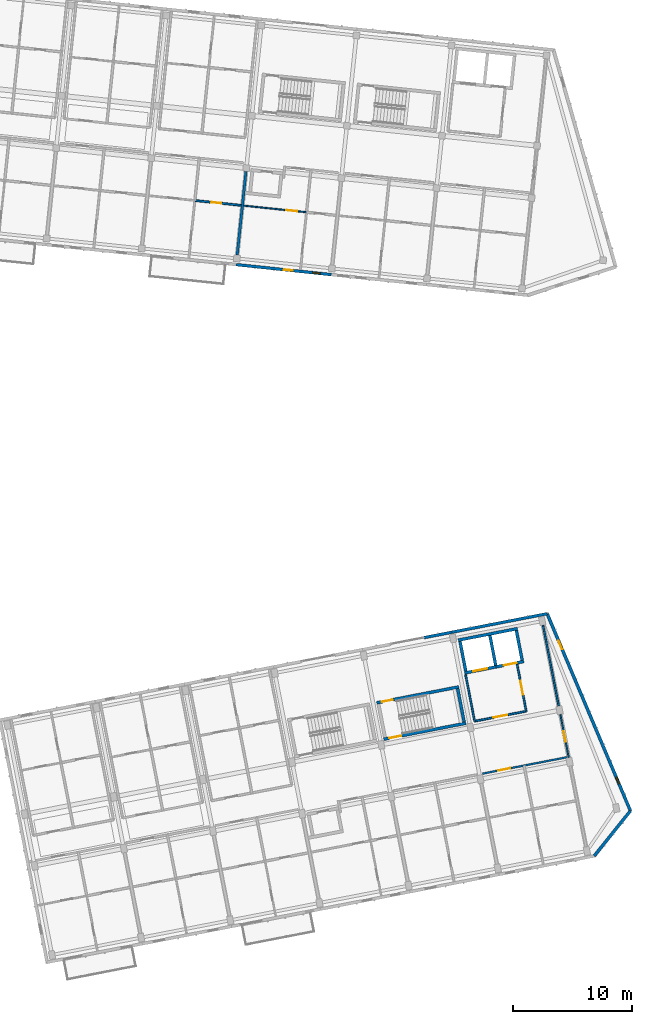
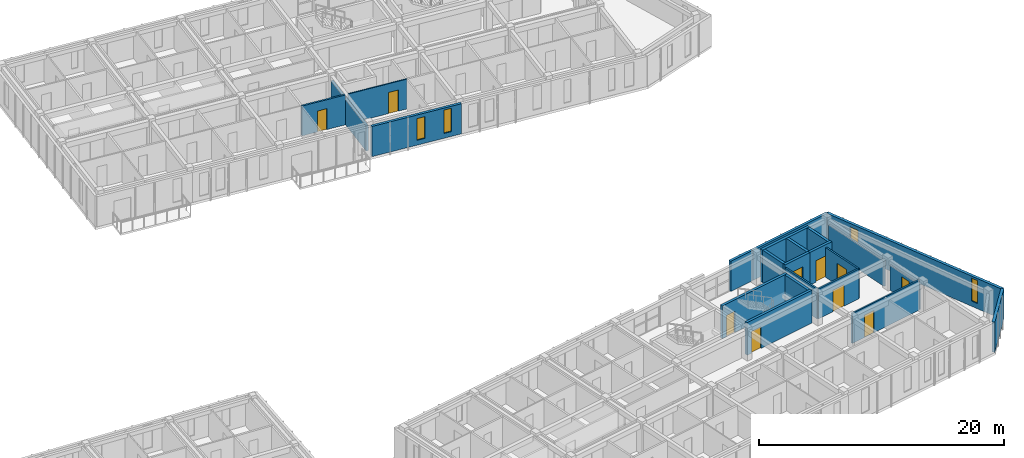
# One storey, part 36 of 66: 23 walls, 10 doors, 4 windows, 14 openings.
"""IFC4 building model written with IfcOpenShell, lengths in metres."""

from ifc_helpers import new_model, si_unit, direction, frame, frame_2d, origin, place, context, subcontext, project, spatial, rectangle, extrude, material, layer, layer_set, type_object, element, fill, save


model = new_model("IFC4")

# Units and contexts
model_context = context("Model", 3, precision=1e-05, world=origin(), true_north=direction((0.0, 1.0)))
body_context = subcontext(model_context, "Body", "Model", "MODEL_VIEW")
ifc_project = project(units=[si_unit("LENGTHUNIT", "METRE"), si_unit("AREAUNIT", "SQUARE_METRE"), si_unit("VOLUMEUNIT", "CUBIC_METRE"), si_unit("PLANEANGLEUNIT", "RADIAN"), si_unit("MASSUNIT", "GRAM", prefix="KILO")], contexts=[model_context])

# Site, building, storey
site_placement = place(None, origin())
site = spatial("IfcSite", under=ifc_project, at=site_placement, CompositionType="ELEMENT")
building_placement = place(site_placement, origin())
building = spatial("IfcBuilding", under=site, at=building_placement, Name="Kestramere Prow Commons", CompositionType="ELEMENT")
storey_placement = place(building_placement, frame((0.0, 0.0, 14.89990234375)))
storey = spatial("IfcBuildingStorey", under=building, at=storey_placement, Name="L04", CompositionType="ELEMENT", Elevation=14.89990234375)

# Wall, openings, windows
ifc_material_1 = material(Name="Weathered Zinc-Titanium Standing-Seam Cladding")
ifc_layer_1 = layer(ifc_material_1, 0.260009765625)
ifc_layer_set_1 = layer_set([ifc_layer_1], Name="Weathered Zinc-Titanium Standing-Seam Cladding")
wall_type_1 = type_object("IfcWallType", Name="EW-PROW-260", PredefinedType="SOLIDWALL", material=ifc_layer_set_1)
wall_1_placement = place(storey_placement, frame((159.83740234375, 62.556396484375, 0.0), z_axis=(0.0, 0.0, 1.0), x_axis=(0.389225507936, -0.921142499276, 0.0)))
wall_1 = element("IfcWall", 1, at=wall_1_placement, inside=storey, type_object=wall_type_1, Name="Block D L04 PRW-N Facet Wall", PredefinedType="SOLIDWALL", context=body_context, shape_type="SweptSolid", body=[
    extrude(rectangle(XDim=17.910400390625, YDim=0.260009765625, at=frame_2d((8.955078125, 0.0))), origin(), (0.0, 0.0, 1.0), 3.0),
])
opening_1_placement = place(wall_1_placement, frame((2.449951171875, 0.0, 0.449951171875)))
opening_1 = element("IfcOpeningElement", 2, at=opening_1_placement, cuts=wall_1, Name="Opening WN-11", PredefinedType="OPENING", context=body_context, shape_type="SweptSolid", body=[
    extrude(rectangle(XDim=0.780029296875, YDim=2.199951171875, at=frame_2d((0.39013671875, 1.10009765625))), frame((0.0, 0.14501953125, 0.0), z_axis=(0.0, -1.0, 0.0), x_axis=(1.0, 0.0, 0.0)), (0.0, 0.0, 1.0), 0.2900390625),
])
opening_2_placement = place(wall_1_placement, frame((14.84033203125, 0.0, 0.52001953125)))
opening_2 = element("IfcOpeningElement", 3, at=opening_2_placement, cuts=wall_1, Name="Opening WN-03", PredefinedType="OPENING", context=body_context, shape_type="SweptSolid", body=[
    extrude(rectangle(XDim=0.6201171875, YDim=2.280029296875, at=frame_2d((0.31005859375, 1.14013671875))), frame((0.0, 0.14501953125, 0.0), z_axis=(0.0, -1.0, 0.0), x_axis=(1.0, 0.0, 0.0)), (0.0, 0.0, 1.0), 0.2900390625),
])
ifc_material_2 = material(Name="Low-E Laminated Double Glazing", Category="glass")
window_type_1 = type_object("IfcWindowType", Name="WN-NAR-620A", PartitioningType="SINGLE_PANEL", PredefinedType="WINDOW", material=ifc_material_2)
window_1_placement = place(opening_2_placement, origin())
window_1 = element("IfcWindow", 4, at=window_1_placement, inside=storey, type_object=window_type_1, Name="WN-D-L04-PRW-N-1", OverallHeight=2.280029296875, OverallWidth=0.6201171875, PartitioningType="SINGLE_PANEL", PredefinedType="WINDOW", context=body_context, shape_type="SweptSolid", body=[
    extrude(rectangle(XDim=0.6201171875, YDim=2.280029296875, at=frame_2d((0.31005859375, 1.14013671875))), frame((0.0, 0.030029296875, 0.0), z_axis=(0.0, -1.0, 0.0), x_axis=(1.0, 0.0, 0.0)), (0.0, 0.0, 1.0), 0.06005859375),
])
fill(opening_2, window_1)
window_type_2 = type_object("IfcWindowType", Name="WN-NAR-780A", PartitioningType="SINGLE_PANEL", PredefinedType="WINDOW", material=ifc_material_2)
window_2_placement = place(opening_1_placement, origin())
window_2 = element("IfcWindow", 5, at=window_2_placement, inside=storey, type_object=window_type_2, Name="WN-D-L04-PRW-N-0", OverallHeight=2.199951171875, OverallWidth=0.780029296875, PartitioningType="SINGLE_PANEL", PredefinedType="WINDOW", context=body_context, shape_type="SweptSolid", body=[
    extrude(rectangle(XDim=0.780029296875, YDim=2.199951171875, at=frame_2d((0.39013671875, 1.10009765625))), frame((0.0, 0.030029296875, 0.0), z_axis=(0.0, -1.0, 0.0), x_axis=(1.0, 0.0, 0.0)), (0.0, 0.0, 1.0), 0.06005859375),
])
fill(opening_1, window_2)

# Wall
wall_2_placement = place(storey_placement, frame((166.80859375, 46.058349609375, 0.0), z_axis=(0.0, 0.0, 1.0), x_axis=(-0.626281072923, -0.779597343312, 0.0)))
element("IfcWall", 6, at=wall_2_placement, inside=storey, type_object=wall_type_1, Name="Block D L04 PRW-S Facet Wall", PredefinedType="SOLIDWALL", context=body_context, shape_type="SweptSolid", body=[
    extrude(rectangle(XDim=4.83935546875, YDim=0.260009765625, at=frame_2d((2.419677734375, 0.0))), origin(), (0.0, 0.0, 1.0), 3.0),
])

# Wall, openings, windows
ifc_material_3 = material(Name="Fluoropolymer Standing-Seam Zinc-Aluminium Cladding", Category="aluminium")
ifc_layer_2 = layer(ifc_material_3, 0.239990234375)
ifc_layer_set_2 = layer_set([ifc_layer_2], Name="Fluoropolymer Standing-Seam Zinc-Aluminium Cladding")
wall_type_2 = type_object("IfcWallType", Name="EW-SEAM-240", PredefinedType="SOLIDWALL", material=ifc_layer_set_2)
wall_3_placement = place(storey_placement, frame((141.769775390625, 90.932861328125, 0.0), z_axis=(0.0, 0.0, 1.0), x_axis=(-0.994519156568, 0.104554517933, 0.0)))
wall_3 = element("IfcWall", 7, at=wall_3_placement, inside=storey, type_object=wall_type_2, Name="Block B L04 South Standing-Seam Wall 4", PredefinedType="SOLIDWALL", context=body_context, shape_type="SweptSolid", body=[
    extrude(rectangle(XDim=8.0, YDim=0.239990234375, at=frame_2d((4.0, 0.0))), origin(), (0.0, 0.0, 1.0), 3.0),
])
opening_3_placement = place(wall_3_placement, frame((0.910888671875, 0.0, 0.47998046875)))
opening_3 = element("IfcOpeningElement", 8, at=opening_3_placement, cuts=wall_3, Name="Opening WN-05", PredefinedType="OPENING", context=body_context, shape_type="SweptSolid", body=[
    extrude(rectangle(XDim=0.659912109375, YDim=2.320068359375, at=frame_2d((0.330078125, 1.16015625))), frame((0.0, 0.135009765625, 0.0), z_axis=(0.0, -1.0, 0.0), x_axis=(1.0, 0.0, 0.0)), (0.0, 0.0, 1.0), 0.27001953125),
])
opening_4_placement = place(wall_3_placement, frame((3.25439453125, 0.0, 0.47998046875)))
opening_4 = element("IfcOpeningElement", 9, at=opening_4_placement, cuts=wall_3, Name="Opening WN-08", PredefinedType="OPENING", context=body_context, shape_type="SweptSolid", body=[
    extrude(rectangle(XDim=0.719970703125, YDim=2.159912109375, at=frame_2d((0.35986328125, 1.080078125))), frame((0.0, 0.135009765625, 0.0), z_axis=(0.0, -1.0, 0.0), x_axis=(1.0, 0.0, 0.0)), (0.0, 0.0, 1.0), 0.27001953125),
])
window_type_3 = type_object("IfcWindowType", Name="WN-NAR-660A", PartitioningType="SINGLE_PANEL", PredefinedType="WINDOW", material=ifc_material_2)
window_3_placement = place(opening_3_placement, origin())
window_3 = element("IfcWindow", 10, at=window_3_placement, inside=storey, type_object=window_type_3, Name="WN-B-L04-S-3-00", OverallHeight=2.320068359375, OverallWidth=0.659912109375, PartitioningType="SINGLE_PANEL", PredefinedType="WINDOW", context=body_context, shape_type="SweptSolid", body=[
    extrude(rectangle(XDim=0.659912109375, YDim=2.320068359375, at=frame_2d((0.330078125, 1.16015625))), frame((0.0, 0.030029296875, 0.0), z_axis=(0.0, -1.0, 0.0), x_axis=(1.0, 0.0, 0.0)), (0.0, 0.0, 1.0), 0.06005859375),
])
fill(opening_3, window_3)
window_type_4 = type_object("IfcWindowType", Name="WN-NAR-720A", PartitioningType="SINGLE_PANEL", PredefinedType="WINDOW", material=ifc_material_2)
window_4_placement = place(opening_4_placement, origin())
window_4 = element("IfcWindow", 11, at=window_4_placement, inside=storey, type_object=window_type_4, Name="WN-B-L04-S-3-10", OverallHeight=2.159912109375, OverallWidth=0.719970703125, PartitioningType="SINGLE_PANEL", PredefinedType="WINDOW", context=body_context, shape_type="SweptSolid", body=[
    extrude(rectangle(XDim=0.719970703125, YDim=2.159912109375, at=frame_2d((0.35986328125, 1.080078125))), frame((0.0, 0.030029296875, 0.0), z_axis=(0.0, -1.0, 0.0), x_axis=(1.0, 0.0, 0.0)), (0.0, 0.0, 1.0), 0.06005859375),
])
fill(opening_4, window_4)

# Walls
wall_4_placement = place(storey_placement, frame((149.530517578125, 60.552734375, 0.0), z_axis=(0.0, 0.0, 1.0), x_axis=(0.98161057432, 0.190894422087, 0.0)))
element("IfcWall", 12, at=wall_4_placement, inside=storey, type_object=wall_type_2, Name="Block D L04 North Standing-Seam Pier 5R", PredefinedType="SOLIDWALL", context=body_context, shape_type="SweptSolid", body=[
    extrude(rectangle(XDim=2.375, YDim=0.239990234375, at=frame_2d((1.1875, 0.0))), origin(), (0.0, 0.0, 1.0), 3.0),
])
wall_5_placement = place(storey_placement, frame((151.86181640625, 61.006103515625, 0.0), z_axis=(0.0, 0.0, 1.0), x_axis=(0.981627273155, 0.190808533872, 0.0)))
element("IfcWall", 13, at=wall_5_placement, inside=storey, type_object=wall_type_2, Name="Block D L04 North Standing-Seam Wall 6", PredefinedType="SOLIDWALL", context=body_context, shape_type="SweptSolid", body=[
    extrude(rectangle(XDim=8.124755859375, YDim=0.239990234375, at=frame_2d((4.0625, 0.0))), origin(), (0.0, 0.0, 1.0), 3.0),
])
ifc_material_4 = material(Name="Concrete C40/50", Category="concrete")
ifc_layer_3 = layer(ifc_material_4, 0.25)
ifc_layer_set_3 = layer_set([ifc_layer_3], Name="Concrete C40/50")
wall_type_3 = type_object("IfcWallType", Name="W-CORE-250", PredefinedType="SHEAR", material=ifc_layer_set_3)
wall_6_placement = place(storey_placement, frame((152.3974609375, 60.34619140625, 0.0), z_axis=(0.0, 0.0, 1.0), x_axis=(0.981635261308, 0.190767433692, 0.0)))
element("IfcWall", 14, at=wall_6_placement, inside=storey, type_object=wall_type_3, Name="Block D L04 Lift Core Back Wall", PredefinedType="SHEAR", context=body_context, shape_type="SweptSolid", body=[
    extrude(rectangle(XDim=5.050048828125, YDim=0.25, at=frame_2d((2.52490234375, 0.0))), origin(), (0.0, 0.0, 1.0), 3.25),
])

# Wall, opening, door
wall_7_placement = place(storey_placement, frame((152.931884765625, 57.59765625, 0.0), z_axis=(0.0, 0.0, 1.0), x_axis=(0.981636759622, 0.190759723627, 0.0)))
wall_7 = element("IfcWall", 15, at=wall_7_placement, inside=storey, type_object=wall_type_3, Name="Block D L04 Fire Lift Shaft Front Wall", PredefinedType="SHEAR", context=body_context, shape_type="SweptSolid", body=[
    extrude(rectangle(XDim=2.6748046875, YDim=0.25, at=frame_2d((1.33740234375, 0.0))), origin(), (0.0, 0.0, 1.0), 3.25),
])
opening_5_placement = place(wall_7_placement, frame((0.719970703125, 0.0, 0.0)))
opening_5 = element("IfcOpeningElement", 16, at=opening_5_placement, cuts=wall_7, Name="Opening LD-02", PredefinedType="OPENING", context=body_context, shape_type="SweptSolid", body=[
    extrude(rectangle(XDim=1.199951171875, YDim=2.199951171875, at=frame_2d((0.60009765625, 1.10009765625))), frame((0.0, 0.139892578125, 0.0), z_axis=(0.0, -1.0, 0.0), x_axis=(1.0, 0.0, 0.0)), (0.0, 0.0, 1.0), 0.280029296875),
])
ifc_material_5 = material(Name="Brushed Stainless Steel 316", Category="steel")
door_type_1 = type_object("IfcDoorType", Name="LD-02", OperationType="DOUBLE_DOOR_SLIDING", PredefinedType="DOOR", material=ifc_material_5)
door_1_placement = place(opening_5_placement, origin())
door_1 = element("IfcDoor", 17, at=door_1_placement, inside=storey, type_object=door_type_1, Name="FL-D1 L04 Lift Landing Door", OperationType="DOUBLE_DOOR_SLIDING", OverallHeight=2.199951171875, OverallWidth=1.199951171875, PredefinedType="DOOR", context=body_context, shape_type="SweptSolid", body=[
    extrude(rectangle(XDim=1.199951171875, YDim=2.199951171875, at=frame_2d((0.60009765625, 1.10009765625))), frame((0.0, 0.02490234375, 0.0), z_axis=(0.0, -1.0, 0.0), x_axis=(1.0, 0.0, 0.0)), (0.0, 0.0, 1.0), 0.050048828125),
])
fill(opening_5, door_1)

wall_8_placement = place(storey_placement, frame((155.5576171875, 58.10791015625, 0.0), z_axis=(0.0, 0.0, 1.0), x_axis=(0.981633573872, 0.190776116556, 0.0)))
wall_8 = element("IfcWall", 18, at=wall_8_placement, inside=storey, type_object=wall_type_3, Name="Block D L04 Passenger Lift Shaft Front Wall", PredefinedType="SHEAR", context=body_context, shape_type="SweptSolid", body=[
    extrude(rectangle(XDim=2.375244140625, YDim=0.25, at=frame_2d((1.1875, 0.0))), origin(), (0.0, 0.0, 1.0), 3.25),
])
opening_6_placement = place(wall_8_placement, frame((0.64990234375, 0.0, 0.0)))
opening_6 = element("IfcOpeningElement", 19, at=opening_6_placement, cuts=wall_8, Name="Opening LD-01", PredefinedType="OPENING", context=body_context, shape_type="SweptSolid", body=[
    extrude(rectangle(XDim=1.10009765625, YDim=2.14990234375, at=frame_2d((0.550048828125, 1.074951171875))), frame((0.0, 0.139892578125, 0.0), z_axis=(0.0, -1.0, 0.0), x_axis=(1.0, 0.0, 0.0)), (0.0, 0.0, 1.0), 0.280029296875),
])
ifc_material_6 = material(Name="Brushed Stainless Steel 304", Category="steel")
door_type_2 = type_object("IfcDoorType", Name="LD-01", OperationType="DOUBLE_DOOR_SLIDING", PredefinedType="DOOR", material=ifc_material_6)
door_2_placement = place(opening_6_placement, origin())
door_2 = element("IfcDoor", 20, at=door_2_placement, inside=storey, type_object=door_type_2, Name="PL-D2 L04 Lift Landing Door", OperationType="DOUBLE_DOOR_SLIDING", OverallHeight=2.14990234375, OverallWidth=1.10009765625, PredefinedType="DOOR", context=body_context, shape_type="SweptSolid", body=[
    extrude(rectangle(XDim=1.10009765625, YDim=2.14990234375, at=frame_2d((0.550048828125, 1.074951171875))), frame((0.0, 0.02490234375, 0.0), z_axis=(0.0, -1.0, 0.0), x_axis=(1.0, 0.0, 0.0)), (0.0, 0.0, 1.0), 0.050048828125),
])
fill(opening_6, door_2)

# Walls
for number, where, z_axis, x_axis, name in (
    (21, (153.03076171875, 57.744140625, 0.0), (0.0, 0.0, 1.0), (-0.190810719655, 0.98162684828, 0.0), "Block D L04 Lift Core Side Wall L"),
    (22, (155.533935546875, 58.230712890625, 0.0), (0.0, 0.0, 1.0), (-0.190810719655, 0.98162684828, 0.0), "Block D L04 Lift Core Side Wall M"),
    (23, (157.742431640625, 58.659912109375, 0.0), (0.0, 0.0, 1.0), (-0.190810719655, 0.98162684828, 0.0), "Block D L04 Lift Core Side Wall R"),
):
    element("IfcWall", number, at=place(storey_placement, frame(where, z_axis=z_axis, x_axis=x_axis)), inside=storey, type_object=wall_type_3, Name=name, PredefinedType="SHEAR", context=body_context, shape_type="SweptSolid", body=[
        extrude(rectangle(XDim=2.550048828125, YDim=0.25, at=frame_2d((1.27490234375, 0.0))), origin(), (0.0, 0.0, 1.0), 3.25),
    ])

# Wall, opening, door
wall_9_placement = place(storey_placement, frame((145.57373046875, 55.09765625, 0.0), z_axis=(0.0, 0.0, 1.0), x_axis=(0.981626097708, 0.19081458094, 0.0)))
wall_9 = element("IfcWall", 24, at=wall_9_placement, inside=storey, type_object=wall_type_3, Name="ST-D2 L04 North Shaft Wall", PredefinedType="SHEAR", context=body_context, shape_type="SweptSolid", body=[
    extrude(rectangle(XDim=7.0, YDim=0.25, at=frame_2d((3.5, 0.0))), origin(), (0.0, 0.0, 1.0), 3.25),
])
opening_7_placement = place(wall_9_placement, frame((0.449951171875, 0.0, 0.0)))
opening_7 = element("IfcOpeningElement", 25, at=opening_7_placement, cuts=wall_9, Name="Opening ID-08", PredefinedType="OPENING", context=body_context, shape_type="SweptSolid", body=[
    extrude(rectangle(XDim=0.89990234375, YDim=2.10009765625, at=frame_2d((0.449951171875, 1.050048828125))), frame((0.0, 0.139892578125, 0.0), z_axis=(0.0, -1.0, 0.0), x_axis=(1.0, 0.0, 0.0)), (0.0, 0.0, 1.0), 0.280029296875),
])
ifc_material_7 = material(Name="Engineered Timber Flush Door", Category="wood")
door_type_3 = type_object("IfcDoorType", Name="D-RM-01", OperationType="NOTDEFINED", PredefinedType="DOOR", material=ifc_material_7)
door_3_placement = place(opening_7_placement, origin())
door_3 = element("IfcDoor", 26, at=door_3_placement, inside=storey, type_object=door_type_3, Name="ST-D2 L04 North Room Door", OperationType="SINGLE_SWING_RIGHT", OverallHeight=2.10009765625, OverallWidth=0.89990234375, PredefinedType="DOOR", context=body_context, shape_type="SweptSolid", body=[
    extrude(rectangle(XDim=0.89990234375, YDim=2.10009765625, at=frame_2d((0.449951171875, 1.050048828125))), frame((0.0, 0.02490234375, 0.0), z_axis=(0.0, -1.0, 0.0), x_axis=(1.0, 0.0, 0.0)), (0.0, 0.0, 1.0), 0.050048828125),
])
fill(opening_7, door_3)

wall_10_placement = place(storey_placement, frame((146.1650390625, 52.054443359375, 0.0), z_axis=(0.0, 0.0, 1.0), x_axis=(0.981627367538, 0.190808048312, 0.0)))
wall_10 = element("IfcWall", 27, at=wall_10_placement, inside=storey, type_object=wall_type_3, Name="ST-D2 L04 Corridor Shaft Wall", PredefinedType="SHEAR", context=body_context, shape_type="SweptSolid", body=[
    extrude(rectangle(XDim=7.000244140625, YDim=0.25, at=frame_2d((3.5, 0.0))), origin(), (0.0, 0.0, 1.0), 3.25),
])
opening_8_placement = place(wall_10_placement, frame((0.449951171875, 0.0, 0.0)))
opening_8 = element("IfcOpeningElement", 28, at=opening_8_placement, cuts=wall_10, Name="Opening ID-01", PredefinedType="OPENING", context=body_context, shape_type="SweptSolid", body=[
    extrude(rectangle(XDim=1.050048828125, YDim=2.14990234375, at=frame_2d((0.52490234375, 1.074951171875))), frame((0.0, 0.139892578125, 0.0), z_axis=(0.0, -1.0, 0.0), x_axis=(1.0, 0.0, 0.0)), (0.0, 0.0, 1.0), 0.280029296875),
])
ifc_material_8 = material(Name="Fire-Rated Timber and Steel Frame", Category="steel")
door_type_4 = type_object("IfcDoorType", Name="FD-ST-01", OperationType="NOTDEFINED", PredefinedType="DOOR", material=ifc_material_8)
door_4_placement = place(opening_8_placement, origin())
door_4 = element("IfcDoor", 29, at=door_4_placement, inside=storey, type_object=door_type_4, Name="ST-D2 L04 Protected Stair Door", OperationType="SINGLE_SWING_LEFT", OverallHeight=2.14990234375, OverallWidth=1.050048828125, PredefinedType="DOOR", context=body_context, shape_type="SweptSolid", body=[
    extrude(rectangle(XDim=1.050048828125, YDim=2.14990234375, at=frame_2d((0.52490234375, 1.074951171875))), frame((0.0, 0.02490234375, 0.0), z_axis=(0.0, -1.0, 0.0), x_axis=(1.0, 0.0, 0.0)), (0.0, 0.0, 1.0), 0.050048828125),
])
fill(opening_8, door_4)

# Wall
wall_11_placement = place(storey_placement, frame((152.889892578125, 53.489013671875, 0.0), z_axis=(0.0, 0.0, 1.0), x_axis=(-0.190775649797, 0.981633664584, 0.0)))
element("IfcWall", 30, at=wall_11_placement, inside=storey, type_object=wall_type_3, Name="ST-D2 L04 Far Shaft Wall", PredefinedType="SHEAR", context=body_context, shape_type="SweptSolid", body=[
    extrude(rectangle(XDim=2.849853515625, YDim=0.25, at=frame_2d((1.4248046875, 0.0))), origin(), (0.0, 0.0, 1.0), 3.25),
])

# Wall, opening, door
ifc_material_9 = material(Name="Fire-Rated Calcium Silicate Wall")
ifc_layer_4 = layer(ifc_material_9, 0.155029296875)
ifc_layer_set_4 = layer_set([ifc_layer_4], Name="Fire-Rated Calcium Silicate Wall")
wall_type_4 = type_object("IfcWallType", Name="W-FIRE-150", PredefinedType="PARTITIONING", material=ifc_layer_set_4)
wall_12_placement = place(storey_placement, frame((153.76806640625, 53.557861328125, 0.0), z_axis=(0.0, 0.0, 1.0), x_axis=(0.981624918225, 0.190820648566, 0.0)))
wall_12 = element("IfcWall", 31, at=wall_12_placement, inside=storey, type_object=wall_type_4, Name="Interior Partition PW-D-L04-FFL-S", PredefinedType="PARTITIONING", context=body_context, shape_type="SweptSolid", body=[
    extrude(rectangle(XDim=4.39990234375, YDim=0.155029296875, at=frame_2d((2.199951171875, 0.0))), origin(), (0.0, 0.0, 1.0), 2.97021484375),
])
opening_9_placement = place(wall_12_placement, frame((1.60009765625, 0.0, 0.0)))
opening_9 = element("IfcOpeningElement", 32, at=opening_9_placement, cuts=wall_12, Name="Opening ID-03", PredefinedType="OPENING", context=body_context, shape_type="SweptSolid", body=[
    extrude(rectangle(XDim=1.179931640625, YDim=2.14990234375, at=frame_2d((0.58984375, 1.074951171875))), frame((0.0, 0.092529296875, 0.0), z_axis=(0.0, -1.0, 0.0), x_axis=(1.0, 0.0, 0.0)), (0.0, 0.0, 1.0), 0.18505859375),
])
ifc_material_10 = material(Name="Fire-Rated Glazed Smoke-Stop Door")
door_type_5 = type_object("IfcDoorType", Name="FD-LB-01", OperationType="NOTDEFINED", PredefinedType="DOOR", material=ifc_material_10)
door_5_placement = place(opening_9_placement, origin())
door_5 = element("IfcDoor", 33, at=door_5_placement, inside=storey, type_object=door_type_5, Name="Interior Door DR-D-L04-FFL", OperationType="SINGLE_SWING_LEFT", OverallHeight=2.14990234375, OverallWidth=1.179931640625, PredefinedType="DOOR", context=body_context, shape_type="SweptSolid", body=[
    extrude(rectangle(XDim=1.179931640625, YDim=2.14990234375, at=frame_2d((0.58984375, 1.074951171875))), frame((0.0, 0.02490234375, 0.0), z_axis=(0.0, -1.0, 0.0), x_axis=(1.0, 0.0, 0.0)), (0.0, 0.0, 1.0), 0.050048828125),
])
fill(opening_9, door_5)

# Wall
wall_13_placement = place(storey_placement, frame((153.76806640625, 53.557861328125, 0.0), z_axis=(0.0, 0.0, 1.0), x_axis=(-0.19085495634, 0.981618248425, 0.0)))
element("IfcWall", 34, at=wall_13_placement, inside=storey, type_object=wall_type_4, Name="Interior Partition PW-D-L04-FFL-W", PredefinedType="PARTITIONING", context=body_context, shape_type="SweptSolid", body=[
    extrude(rectangle(XDim=4.0, YDim=0.155029296875, at=frame_2d((2.0, 0.0))), origin(), (0.0, 0.0, 1.0), 2.97021484375),
])

# Wall, opening, door
wall_14_placement = place(storey_placement, frame((158.087158203125, 54.3974609375, 0.0), z_axis=(0.0, 0.0, 1.0), x_axis=(-0.190796144009, 0.981629681413, 0.0)))
wall_14 = element("IfcWall", 35, at=wall_14_placement, inside=storey, type_object=wall_type_4, Name="Interior Partition PW-D-L04-FFL-E", PredefinedType="PARTITIONING", context=body_context, shape_type="SweptSolid", body=[
    extrude(rectangle(XDim=4.0, YDim=0.155029296875, at=frame_2d((2.0, 0.0))), origin(), (0.0, 0.0, 1.0), 2.97021484375),
])
opening_10_placement = place(wall_14_placement, frame((1.39990234375, 0.0, 0.0)))
opening_10 = element("IfcOpeningElement", 36, at=opening_10_placement, cuts=wall_14, Name="Opening ID-03", PredefinedType="OPENING", context=body_context, shape_type="SweptSolid", body=[
    extrude(rectangle(XDim=1.179931640625, YDim=2.14990234375, at=frame_2d((0.58984375, 1.074951171875))), frame((0.0, 0.092529296875, 0.0), z_axis=(0.0, -1.0, 0.0), x_axis=(1.0, 0.0, 0.0)), (0.0, 0.0, 1.0), 0.18505859375),
])
door_6_placement = place(opening_10_placement, origin())
door_6 = element("IfcDoor", 37, at=door_6_placement, inside=storey, type_object=door_type_5, Name="Interior Door DR-D-L04-FFL-PL", OperationType="SINGLE_SWING_LEFT", OverallHeight=2.14990234375, OverallWidth=1.179931640625, PredefinedType="DOOR", context=body_context, shape_type="SweptSolid", body=[
    extrude(rectangle(XDim=1.179931640625, YDim=2.14990234375, at=frame_2d((0.58984375, 1.074951171875))), frame((0.0, 0.02490234375, 0.0), z_axis=(0.0, -1.0, 0.0), x_axis=(1.0, 0.0, 0.0)), (0.0, 0.0, 1.0), 0.050048828125),
])
fill(opening_10, door_6)

wall_15_placement = place(storey_placement, frame((154.4267578125, 49.173095703125, 0.0), z_axis=(0.0, 0.0, 1.0), x_axis=(0.981626748283, 0.190811234092, 0.0)))
wall_15 = element("IfcWall", 38, at=wall_15_placement, inside=storey, type_object=wall_type_4, Name="Interior Partition PW-D-L04-CS-5", PredefinedType="PARTITIONING", context=body_context, shape_type="SweptSolid", body=[
    extrude(rectangle(XDim=7.27001953125, YDim=0.155029296875, at=frame_2d((3.635009765625, 0.0))), origin(), (0.0, 0.0, 1.0), 2.97021484375),
])
opening_11_placement = place(wall_15_placement, frame((1.330078125, 0.0, 0.0)))
opening_11 = element("IfcOpeningElement", 39, at=opening_11_placement, cuts=wall_15, Name="Opening ID-05", PredefinedType="OPENING", context=body_context, shape_type="SweptSolid", body=[
    extrude(rectangle(XDim=1.02001953125, YDim=2.199951171875, at=frame_2d((0.510009765625, 1.10009765625))), frame((0.0, 0.092529296875, 0.0), z_axis=(0.0, -1.0, 0.0), x_axis=(1.0, 0.0, 0.0)), (0.0, 0.0, 1.0), 0.18505859375),
])
ifc_material_11 = material(Name="Hardwood Fire-Rated Flat Entrance Door", Category="wood")
door_type_6 = type_object("IfcDoorType", Name="FD-ENT-02", OperationType="NOTDEFINED", PredefinedType="DOOR", material=ifc_material_11)
door_7_placement = place(opening_11_placement, origin())
door_7 = element("IfcDoor", 40, at=door_7_placement, inside=storey, type_object=door_type_6, Name="Interior Door DR-D-L04-ENT-S5", OperationType="SINGLE_SWING_RIGHT", OverallHeight=2.199951171875, OverallWidth=1.02001953125, PredefinedType="DOOR", context=body_context, shape_type="SweptSolid", body=[
    extrude(rectangle(XDim=1.02001953125, YDim=2.199951171875, at=frame_2d((0.510009765625, 1.10009765625))), frame((0.0, 0.02490234375, 0.0), z_axis=(0.0, -1.0, 0.0), x_axis=(1.0, 0.0, 0.0)), (0.0, 0.0, 1.0), 0.050048828125),
])
fill(opening_11, door_7)

ifc_material_12 = material(Name="Gypsum Acoustic Drywall")
ifc_layer_5 = layer(ifc_material_12, 0.110107421875)
ifc_layer_set_5 = layer_set([ifc_layer_5], Name="Gypsum Acoustic Drywall")
wall_type_5 = type_object("IfcWallType", Name="W-PART-110", PredefinedType="PARTITIONING", material=ifc_layer_set_5)
wall_16_placement = place(storey_placement, frame((134.447998046875, 96.704833984375, 0.0), z_axis=(0.0, 0.0, 1.0), x_axis=(0.994525197038, -0.104497045205, 0.0)))
wall_16 = element("IfcWall", 41, at=wall_16_placement, inside=storey, type_object=wall_type_5, Name="Interior Partition PW-B-L04-MIDS1-3", PredefinedType="PARTITIONING", context=body_context, shape_type="SweptSolid", body=[
    extrude(rectangle(XDim=5.280029296875, YDim=0.110107421875, at=frame_2d((2.64013671875, 0.0))), origin(), (0.0, 0.0, 1.0), 2.97021484375),
])
opening_12_placement = place(wall_16_placement, frame((3.594970703125, 0.0, 0.0)))
opening_12 = element("IfcOpeningElement", 42, at=opening_12_placement, cuts=wall_16, Name="Opening ID-08", PredefinedType="OPENING", context=body_context, shape_type="SweptSolid", body=[
    extrude(rectangle(XDim=0.89990234375, YDim=2.10009765625, at=frame_2d((0.449951171875, 1.050048828125))), frame((0.0, 0.070068359375, 0.0), z_axis=(0.0, -1.0, 0.0), x_axis=(1.0, 0.0, 0.0)), (0.0, 0.0, 1.0), 0.14013671875),
])
door_8_placement = place(opening_12_placement, origin())
door_8 = element("IfcDoor", 43, at=door_8_placement, inside=storey, type_object=door_type_3, Name="Interior Door DR-B-L04-KL-S3", OperationType="SINGLE_SWING_RIGHT", OverallHeight=2.10009765625, OverallWidth=0.89990234375, PredefinedType="DOOR", context=body_context, shape_type="SweptSolid", body=[
    extrude(rectangle(XDim=0.89990234375, YDim=2.10009765625, at=frame_2d((0.449951171875, 1.050048828125))), frame((0.0, 0.02490234375, 0.0), z_axis=(0.0, -1.0, 0.0), x_axis=(1.0, 0.0, 0.0)), (0.0, 0.0, 1.0), 0.050048828125),
])
fill(opening_12, door_8)

ifc_material_13 = material(Name="Lightweight Blockwork and Plaster", Category="masonry")
ifc_layer_6 = layer(ifc_material_13, 0.1201171875)
ifc_layer_set_6 = layer_set([ifc_layer_6], Name="Lightweight Blockwork and Plaster")
wall_type_6 = type_object("IfcWallType", Name="W-PART-120", PredefinedType="PARTITIONING", material=ifc_layer_set_6)
wall_17_placement = place(storey_placement, frame((161.643310546875, 50.5146484375, 0.0), z_axis=(0.0, 0.0, 1.0), x_axis=(-0.190805731561, 0.981627817864, 0.0)))
wall_17 = element("IfcWall", 44, at=wall_17_placement, inside=storey, type_object=wall_type_6, Name="Interior Partition PW-D-L04-PROW-ACC", PredefinedType="PARTITIONING", context=body_context, shape_type="SweptSolid", body=[
    extrude(rectangle(XDim=3.679931640625, YDim=0.1201171875, at=frame_2d((1.83984375, 0.0))), origin(), (0.0, 0.0, 1.0), 2.5),
])
opening_13_placement = place(wall_17_placement, frame((1.35009765625, 0.0, 0.0)))
opening_13 = element("IfcOpeningElement", 45, at=opening_13_placement, cuts=wall_17, Name="Opening ID-08", PredefinedType="OPENING", context=body_context, shape_type="SweptSolid", body=[
    extrude(rectangle(XDim=0.89990234375, YDim=2.10009765625, at=frame_2d((0.449951171875, 1.050048828125))), frame((0.0, 0.074951171875, 0.0), z_axis=(0.0, -1.0, 0.0), x_axis=(1.0, 0.0, 0.0)), (0.0, 0.0, 1.0), 0.150146484375),
])
door_9_placement = place(opening_13_placement, origin())
door_9 = element("IfcDoor", 46, at=door_9_placement, inside=storey, type_object=door_type_3, Name="Interior Door DR-D-L04-PROW", OperationType="SINGLE_SWING_LEFT", OverallHeight=2.10009765625, OverallWidth=0.89990234375, PredefinedType="DOOR", context=body_context, shape_type="SweptSolid", body=[
    extrude(rectangle(XDim=0.89990234375, YDim=2.10009765625, at=frame_2d((0.449951171875, 1.050048828125))), frame((0.0, 0.02490234375, 0.0), z_axis=(0.0, -1.0, 0.0), x_axis=(1.0, 0.0, 0.0)), (0.0, 0.0, 1.0), 0.050048828125),
])
fill(opening_13, door_9)

# Wall
ifc_material_14 = material(Name="Masonry Compartment Wall", Category="masonry")
ifc_layer_7 = layer(ifc_material_14, 0.14990234375)
ifc_layer_set_7 = layer_set([ifc_layer_7], Name="Masonry Compartment Wall")
wall_type_7 = type_object("IfcWallType", Name="W-PART-150", PredefinedType="PARTITIONING", material=ifc_layer_set_7)
wall_18_placement = place(storey_placement, frame((160.8037109375, 54.833740234375, 0.0), z_axis=(0.0, 0.0, 1.0), x_axis=(-0.190804123115, 0.981628130507, 0.0)))
element("IfcWall", 47, at=wall_18_placement, inside=storey, type_object=wall_type_7, Name="Interior Partition PW-D-L04-PRW-N", PredefinedType="PARTITIONING", context=body_context, shape_type="SweptSolid", body=[
    extrude(rectangle(XDim=6.880126953125, YDim=0.14990234375, at=frame_2d((3.43994140625, 0.0))), origin(), (0.0, 0.0, 1.0), 2.5),
])

# Wall, opening, door
ifc_material_15 = material(Name="Waterproof Sanitary Masonry Wall", Category="masonry")
ifc_layer_8 = layer(ifc_material_15, 0.1650390625)
ifc_layer_set_8 = layer_set([ifc_layer_8], Name="Waterproof Sanitary Masonry Wall")
wall_type_8 = type_object("IfcWallType", Name="W-PLUMB-150", PredefinedType="PLUMBINGWALL", material=ifc_layer_set_8)
wall_19_placement = place(storey_placement, frame((130.35546875, 97.135009765625, 0.0), z_axis=(0.0, 0.0, 1.0), x_axis=(0.994524375082, -0.104504867671, 0.0)))
wall_19 = element("IfcWall", 48, at=wall_19_placement, inside=storey, type_object=wall_type_8, Name="Interior Partition PW-B-L04-MIDS2-2", PredefinedType="PLUMBINGWALL", context=body_context, shape_type="SweptSolid", body=[
    extrude(rectangle(XDim=3.885009765625, YDim=0.1650390625, at=frame_2d((1.9423828125, 0.0))), origin(), (0.0, 0.0, 1.0), 2.97021484375),
])
opening_14_placement = place(wall_19_placement, frame((1.39990234375, 0.0, 0.0)))
opening_14 = element("IfcOpeningElement", 49, at=opening_14_placement, cuts=wall_19, Name="Opening ID-11", PredefinedType="OPENING", context=body_context, shape_type="SweptSolid", body=[
    extrude(rectangle(XDim=0.820068359375, YDim=2.080078125, at=frame_2d((0.41015625, 1.0400390625))), frame((0.0, 0.097412109375, 0.0), z_axis=(0.0, -1.0, 0.0), x_axis=(1.0, 0.0, 0.0)), (0.0, 0.0, 1.0), 0.195068359375),
])
ifc_material_16 = material(Name="Moisture-Resistant Timber Bathroom Door", Category="wood")
door_type_7 = type_object("IfcDoorType", Name="D-BT-01", OperationType="NOTDEFINED", PredefinedType="DOOR", material=ifc_material_16)
door_10_placement = place(opening_14_placement, origin())
door_10 = element("IfcDoor", 50, at=door_10_placement, inside=storey, type_object=door_type_7, Name="Interior Door DR-B-L04-BTH-S2", OperationType="SINGLE_SWING_LEFT", OverallHeight=2.080078125, OverallWidth=0.820068359375, PredefinedType="DOOR", context=body_context, shape_type="SweptSolid", body=[
    extrude(rectangle(XDim=0.820068359375, YDim=2.080078125, at=frame_2d((0.41015625, 1.0400390625))), frame((0.0, 0.02490234375, 0.0), z_axis=(0.0, -1.0, 0.0), x_axis=(1.0, 0.0, 0.0)), (0.0, 0.0, 1.0), 0.050048828125),
])
fill(opening_14, door_10)

# Wall
ifc_material_17 = material(Name="Precast concrete C40/50", Category="concrete")
ifc_layer_9 = layer(ifc_material_17, 0.219970703125)
ifc_layer_set_9 = layer_set([ifc_layer_9], Name="Precast concrete C40/50")
wall_type_9 = type_object("IfcWallType", Name="W-XWALL-220", PredefinedType="SHEAR", material=ifc_layer_set_9)
wall_20_placement = place(storey_placement, frame((133.897216796875, 92.564697265625, 0.0), z_axis=(0.0, 0.0, 1.0), x_axis=(0.104545981508, 0.994520053971, 0.0)))
element("IfcWall", 51, at=wall_20_placement, inside=storey, type_object=wall_type_9, Name="Block B L04 Precast Cross-Wall 3", PredefinedType="SHEAR", context=body_context, shape_type="SweptSolid", body=[
    extrude(rectangle(XDim=7.050048828125, YDim=0.219970703125, at=frame_2d((3.52490234375, 0.0))), origin(), (0.0, 0.0, 1.0), 2.5),
])

save(model, "model.ifc")
